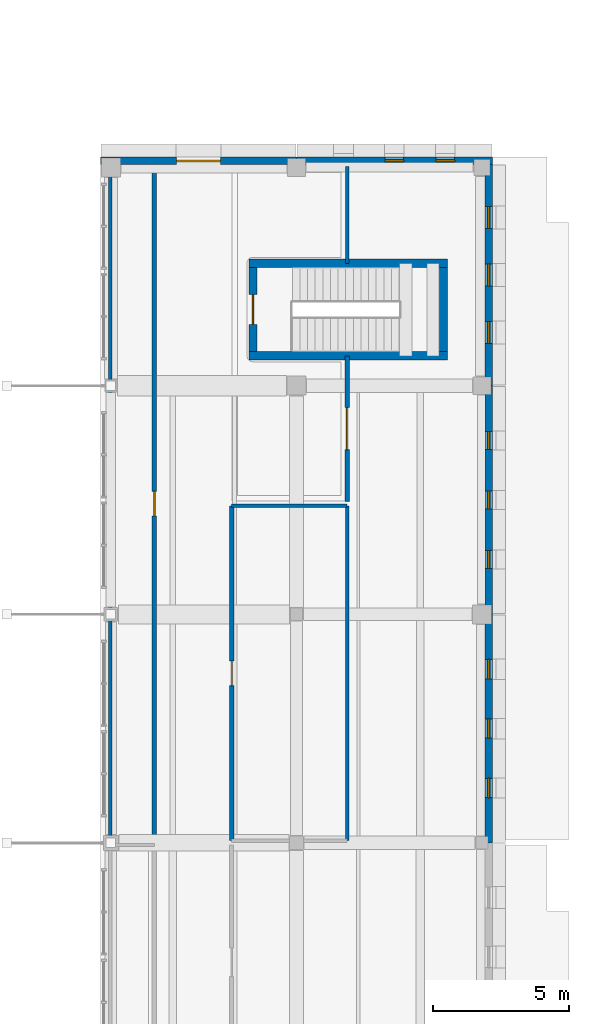
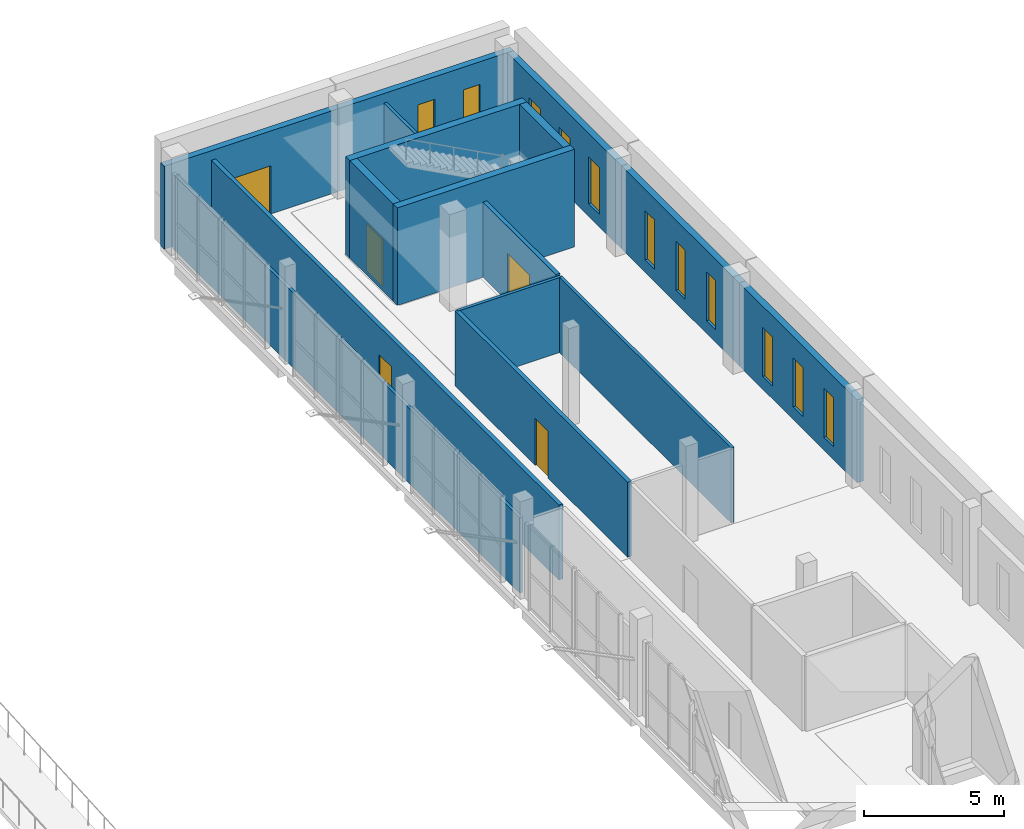
# One storey, part 62 of 77: 16 walls, 11 windows, 5 doors, 16 openings.
"""IFC4 building model written with IfcOpenShell, lengths in metres."""

from ifc_helpers import new_model, si_unit, direction, frame, frame_2d, origin, place, context, subcontext, project, spatial, rectangle, extrude, material, layer, layer_set, type_object, element, fill, save


model = new_model("IFC4")

# Units and contexts
model_context = context("Model", 3, precision=1e-05, world=origin(), true_north=direction((0.0, 1.0)))
body_context = subcontext(model_context, "Body", "Model", "MODEL_VIEW")
ifc_project = project(units=[si_unit("LENGTHUNIT", "METRE"), si_unit("AREAUNIT", "SQUARE_METRE"), si_unit("VOLUMEUNIT", "CUBIC_METRE"), si_unit("PLANEANGLEUNIT", "RADIAN"), si_unit("MASSUNIT", "GRAM", prefix="KILO")], contexts=[model_context])

# Site, building, storey
site_placement = place(None, origin())
site = spatial("IfcSite", under=ifc_project, at=site_placement, CompositionType="ELEMENT")
building_placement = place(site_placement, origin())
building = spatial("IfcBuilding", under=site, at=building_placement, Name="Vardoun Plaza Health Centre", CompositionType="ELEMENT")
storey_placement = place(building_placement, origin())
storey = spatial("IfcBuildingStorey", under=building, at=storey_placement, Name="L00", CompositionType="ELEMENT", Elevation=0.0)

# Wall
ifc_material_1 = material(Name="Concrete C40/50", Category="concrete")
ifc_layer_1 = layer(ifc_material_1, 0.300048828125)
ifc_layer_set_1 = layer_set([ifc_layer_1], Name="Concrete C40/50")
wall_type_1 = type_object("IfcWallType", Name="SW-01", PredefinedType="SHEAR", material=ifc_layer_set_1)
wall_1_placement = place(storey_placement, frame((163.64990234375, 79.39990234375, 0.0), z_axis=(0.0, 0.0, 1.0), x_axis=(-1.0, 0.0, 0.0)))
element("IfcWall", 1, at=wall_1_placement, inside=storey, type_object=wall_type_1, Name="Core C11 L00 Shear Wall S", PredefinedType="SHEAR", context=body_context, shape_type="SweptSolid", body=[
    extrude(rectangle(XDim=7.2998046875, YDim=0.300048828125, at=frame_2d((3.64990234375, 0.0))), origin(), (0.0, 0.0, 1.0), 4.25),
])

# Wall, opening, door
wall_2_placement = place(storey_placement, frame((156.5, 79.550048828125, 0.0), z_axis=(0.0, 0.0, 1.0), x_axis=(0.0, 1.0, 0.0)))
wall_2 = element("IfcWall", 2, at=wall_2_placement, inside=storey, type_object=wall_type_1, Name="Core C11 L00 Shear Wall W", PredefinedType="SHEAR", context=body_context, shape_type="SweptSolid", body=[
    extrude(rectangle(XDim=3.099853515625, YDim=0.300048828125, at=frame_2d((1.5498046875, 0.0))), origin(), (0.0, 0.0, 1.0), 4.25),
])
opening_1_placement = place(wall_2_placement, frame((1.0, 0.0, 0.0)))
opening_1 = element("IfcOpeningElement", 3, at=opening_1_placement, cuts=wall_2, Name="Opening SD-C11-L00", PredefinedType="OPENING", context=body_context, shape_type="SweptSolid", body=[
    extrude(rectangle(XDim=1.10009765625, YDim=2.050048828125, at=frame_2d((0.550048828125, 1.02490234375))), frame((0.0, 0.14990234375, 0.0), z_axis=(0.0, -1.0, 0.0), x_axis=(1.0, 0.0, 0.0)), (0.0, 0.0, 1.0), 0.300048828125),
])
ifc_material_2 = material(Name="Brushed Stainless Steel Grade 316L", Category="steel")
door_type_1 = type_object("IfcDoorType", Name="FD-01", OperationType="NOTDEFINED", PredefinedType="DOOR", material=ifc_material_2)
door_1_placement = place(opening_1_placement, origin())
door_1 = element("IfcDoor", 4, at=door_1_placement, inside=storey, type_object=door_type_1, Name="Stair C11 L00 Fire Door", OperationType="SINGLE_SWING_LEFT", OverallHeight=2.050048828125, OverallWidth=1.10009765625, PredefinedType="DOOR", context=body_context, shape_type="SweptSolid", body=[
    extrude(rectangle(XDim=1.10009765625, YDim=2.050048828125, at=frame_2d((0.550048828125, 1.02490234375))), frame((0.0, 0.02490234375, 0.0), z_axis=(0.0, -1.0, 0.0), x_axis=(1.0, 0.0, 0.0)), (0.0, 0.0, 1.0), 0.050048828125),
])
fill(opening_1, door_1)

# Walls
wall_3_placement = place(storey_placement, frame((156.35009765625, 82.800048828125, 0.0), z_axis=(0.0, 0.0, 1.0), x_axis=(1.0, 0.0, 0.0)))
element("IfcWall", 5, at=wall_3_placement, inside=storey, type_object=wall_type_1, Name="Core C11 L00 Shear Wall N", PredefinedType="SHEAR", context=body_context, shape_type="SweptSolid", body=[
    extrude(rectangle(XDim=7.2998046875, YDim=0.300048828125, at=frame_2d((3.64990234375, 0.0))), origin(), (0.0, 0.0, 1.0), 4.25),
])
wall_4_placement = place(storey_placement, frame((163.5, 82.64990234375, 0.0), z_axis=(0.0, 0.0, 1.0), x_axis=(0.0, -1.0, 0.0)))
element("IfcWall", 6, at=wall_4_placement, inside=storey, type_object=wall_type_1, Name="Core C11 L00 Shear Wall E", PredefinedType="SHEAR", context=body_context, shape_type="SweptSolid", body=[
    extrude(rectangle(XDim=3.099853515625, YDim=0.300048828125, at=frame_2d((1.5498046875, 0.0))), origin(), (0.0, 0.0, 1.0), 4.25),
])

# Wall, opening, door
ifc_material_3 = material(Name="Pale Limestone Concrete C35/45", Category="masonry")
ifc_layer_2 = layer(ifc_material_3, 0.264892578125)
ifc_layer_set_2 = layer_set([ifc_layer_2], Name="Pale Limestone Concrete C35/45")
wall_type_2 = type_object("IfcWallType", Name="EW-06", PredefinedType="STANDARD", material=ifc_layer_set_2)
wall_5_placement = place(storey_placement, frame((150.89990234375, 86.5673828125, 0.0), z_axis=(0.0, 0.0, 1.0), x_axis=(1.0, 0.0, 0.0)))
wall_5 = element("IfcWall", 7, at=wall_5_placement, inside=storey, type_object=wall_type_2, Name="V6 L00 Exterior Wall EW-V6-415", PredefinedType="STANDARD", context=body_context, shape_type="SweptSolid", body=[
    extrude(rectangle(XDim=7.2001953125, YDim=0.264892578125, at=frame_2d((3.60009765625, 0.0))), origin(), (0.0, 0.0, 1.0), 3.614990234375),
])
opening_2_placement = place(wall_5_placement, frame((2.800048828125, 0.0, 0.0)))
opening_2 = element("IfcOpeningElement", 8, at=opening_2_placement, cuts=wall_5, Name="Opening D-00-E08", PredefinedType="OPENING", context=body_context, shape_type="SweptSolid", body=[
    extrude(rectangle(XDim=1.60009765625, YDim=2.10009765625, at=frame_2d((0.800048828125, 1.050048828125))), frame((0.0, 0.13232421875, 0.0), z_axis=(0.0, -1.0, 0.0), x_axis=(1.0, 0.0, 0.0)), (0.0, 0.0, 1.0), 0.264892578125),
])
ifc_material_4 = material(Name="Aluminium Alloy EN AW-6063-T6 Glazed Exit Door", Category="aluminium")
door_type_2 = type_object("IfcDoorType", Name="ED-02", OperationType="DOUBLE_DOOR_SINGLE_SWING", PredefinedType="DOOR", material=ifc_material_4)
door_2_placement = place(opening_2_placement, origin())
door_2 = element("IfcDoor", 9, at=door_2_placement, inside=storey, type_object=door_type_2, Name="V6 Ground Final Exit Door D-00-E08", OperationType="DOUBLE_DOOR_SINGLE_SWING", OverallHeight=2.10009765625, OverallWidth=1.60009765625, PredefinedType="DOOR", context=body_context, shape_type="SweptSolid", body=[
    extrude(rectangle(XDim=1.60009765625, YDim=2.10009765625, at=frame_2d((0.800048828125, 1.050048828125))), frame((0.0, 0.02490234375, 0.0), z_axis=(0.0, -1.0, 0.0), x_axis=(1.0, 0.0, 0.0)), (0.0, 0.0, 1.0), 0.050048828125),
])
fill(opening_2, door_2)

# Wall, openings, windows
wall_6_placement = place(storey_placement, frame((158.10009765625, 86.5673828125, 0.0), z_axis=(0.0, 0.0, 1.0), x_axis=(1.0, 0.0, 0.0)))
wall_6 = element("IfcWall", 10, at=wall_6_placement, inside=storey, type_object=wall_type_2, Name="V6 L00 Exterior Wall EW-V6-416", PredefinedType="STANDARD", context=body_context, shape_type="SweptSolid", body=[
    extrude(rectangle(XDim=7.199951171875, YDim=0.264892578125, at=frame_2d((3.60009765625, 0.0))), origin(), (0.0, 0.0, 1.0), 3.614990234375),
])
opening_3_placement = place(wall_6_placement, frame((3.260009765625, 0.0, 0.550048828125)))
opening_3 = element("IfcOpeningElement", 11, at=opening_3_placement, cuts=wall_6, Name="Opening W-22-011", PredefinedType="OPENING", context=body_context, shape_type="SweptSolid", body=[
    extrude(rectangle(XDim=0.679931640625, YDim=2.080078125, at=frame_2d((0.33984375, 1.0400390625))), frame((0.0, 0.13232421875, 0.0), z_axis=(0.0, -1.0, 0.0), x_axis=(1.0, 0.0, 0.0)), (0.0, 0.0, 1.0), 0.264892578125),
])
opening_4_placement = place(wall_6_placement, frame((5.132080078125, 0.0, 0.550048828125)))
opening_4 = element("IfcOpeningElement", 12, at=opening_4_placement, cuts=wall_6, Name="Opening W-22-012", PredefinedType="OPENING", context=body_context, shape_type="SweptSolid", body=[
    extrude(rectangle(XDim=0.679931640625, YDim=2.080078125, at=frame_2d((0.33984375, 1.0400390625))), frame((0.0, 0.13232421875, 0.0), z_axis=(0.0, -1.0, 0.0), x_axis=(1.0, 0.0, 0.0)), (0.0, 0.0, 1.0), 0.264892578125),
])
ifc_material_5 = material(Name="Aluminium Alloy EN AW-6063-T6 and Low-E Glass", Category="aluminium")
window_type_1 = type_object("IfcWindowType", Name="W-22", PartitioningType="SINGLE_PANEL", PredefinedType="WINDOW", material=ifc_material_5)
window_1_placement = place(opening_3_placement, origin())
window_1 = element("IfcWindow", 13, at=window_1_placement, inside=storey, type_object=window_type_1, Name="V6 L00 Deep-Punched Slot Window W-22-629", OverallHeight=2.080078125, OverallWidth=0.679931640625, PartitioningType="SINGLE_PANEL", PredefinedType="WINDOW", context=body_context, shape_type="SweptSolid", body=[
    extrude(rectangle(XDim=0.679931640625, YDim=2.080078125, at=frame_2d((0.33984375, 1.0400390625))), frame((0.0, 0.030029296875, 0.0), z_axis=(0.0, -1.0, 0.0), x_axis=(1.0, 0.0, 0.0)), (0.0, 0.0, 1.0), 0.06005859375),
])
fill(opening_3, window_1)
window_2_placement = place(opening_4_placement, origin())
window_2 = element("IfcWindow", 14, at=window_2_placement, inside=storey, type_object=window_type_1, Name="V6 L00 Deep-Punched Slot Window W-22-630", OverallHeight=2.080078125, OverallWidth=0.679931640625, PartitioningType="SINGLE_PANEL", PredefinedType="WINDOW", context=body_context, shape_type="SweptSolid", body=[
    extrude(rectangle(XDim=0.679931640625, YDim=2.080078125, at=frame_2d((0.33984375, 1.0400390625))), frame((0.0, 0.030029296875, 0.0), z_axis=(0.0, -1.0, 0.0), x_axis=(1.0, 0.0, 0.0)), (0.0, 0.0, 1.0), 0.06005859375),
])
fill(opening_4, window_2)

wall_7_placement = place(storey_placement, frame((165.16748046875, 86.43505859375, 0.0), z_axis=(0.0, 0.0, 1.0), x_axis=(0.0, -1.0, 0.0)))
wall_7 = element("IfcWall", 15, at=wall_7_placement, inside=storey, type_object=wall_type_2, Name="V6 L00 Exterior Wall EW-V6-417", PredefinedType="STANDARD", context=body_context, shape_type="SweptSolid", body=[
    extrude(rectangle(XDim=8.135009765625, YDim=0.264892578125, at=frame_2d((4.0673828125, 0.0))), origin(), (0.0, 0.0, 1.0), 3.614990234375),
])
opening_5_placement = place(wall_7_placement, frame((1.552490234375, 0.0, 0.550048828125)))
opening_5 = element("IfcOpeningElement", 16, at=opening_5_placement, cuts=wall_7, Name="Opening W-24-011", PredefinedType="OPENING", context=body_context, shape_type="SweptSolid", body=[
    extrude(rectangle(XDim=0.800048828125, YDim=2.0400390625, at=frame_2d((0.39990234375, 1.02001953125))), frame((0.0, 0.13232421875, 0.0), z_axis=(0.0, -1.0, 0.0), x_axis=(1.0, 0.0, 0.0)), (0.0, 0.0, 1.0), 0.264892578125),
])
opening_6_placement = place(wall_7_placement, frame((3.66748046875, 0.0, 0.550048828125)))
opening_6 = element("IfcOpeningElement", 17, at=opening_6_placement, cuts=wall_7, Name="Opening W-24-012", PredefinedType="OPENING", context=body_context, shape_type="SweptSolid", body=[
    extrude(rectangle(XDim=0.800048828125, YDim=2.0400390625, at=frame_2d((0.39990234375, 1.02001953125))), frame((0.0, 0.13232421875, 0.0), z_axis=(0.0, -1.0, 0.0), x_axis=(1.0, 0.0, 0.0)), (0.0, 0.0, 1.0), 0.264892578125),
])
opening_7_placement = place(wall_7_placement, frame((5.78271484375, 0.0, 0.550048828125)))
opening_7 = element("IfcOpeningElement", 18, at=opening_7_placement, cuts=wall_7, Name="Opening W-24-013", PredefinedType="OPENING", context=body_context, shape_type="SweptSolid", body=[
    extrude(rectangle(XDim=0.800048828125, YDim=2.0400390625, at=frame_2d((0.39990234375, 1.02001953125))), frame((0.0, 0.13232421875, 0.0), z_axis=(0.0, -1.0, 0.0), x_axis=(1.0, 0.0, 0.0)), (0.0, 0.0, 1.0), 0.264892578125),
])
ifc_material_6 = material(Name="Aluminium Alloy EN AW-6063-T6 and Low-E Glass", Category="aluminium")
window_type_2 = type_object("IfcWindowType", Name="W-24", PartitioningType="SINGLE_PANEL", PredefinedType="WINDOW", material=ifc_material_6)
window_3_placement = place(opening_5_placement, origin())
window_3 = element("IfcWindow", 19, at=window_3_placement, inside=storey, type_object=window_type_2, Name="V6 L00 Deep-Punched Slot Window W-24-631", OverallHeight=2.0400390625, OverallWidth=0.800048828125, PartitioningType="SINGLE_PANEL", PredefinedType="WINDOW", context=body_context, shape_type="SweptSolid", body=[
    extrude(rectangle(XDim=0.800048828125, YDim=2.0400390625, at=frame_2d((0.39990234375, 1.02001953125))), frame((0.0, 0.030029296875, 0.0), z_axis=(0.0, -1.0, 0.0), x_axis=(1.0, 0.0, 0.0)), (0.0, 0.0, 1.0), 0.06005859375),
])
fill(opening_5, window_3)
window_4_placement = place(opening_6_placement, origin())
window_4 = element("IfcWindow", 20, at=window_4_placement, inside=storey, type_object=window_type_2, Name="V6 L00 Deep-Punched Slot Window W-24-632", OverallHeight=2.0400390625, OverallWidth=0.800048828125, PartitioningType="SINGLE_PANEL", PredefinedType="WINDOW", context=body_context, shape_type="SweptSolid", body=[
    extrude(rectangle(XDim=0.800048828125, YDim=2.0400390625, at=frame_2d((0.39990234375, 1.02001953125))), frame((0.0, 0.030029296875, 0.0), z_axis=(0.0, -1.0, 0.0), x_axis=(1.0, 0.0, 0.0)), (0.0, 0.0, 1.0), 0.06005859375),
])
fill(opening_6, window_4)
window_5_placement = place(opening_7_placement, origin())
window_5 = element("IfcWindow", 21, at=window_5_placement, inside=storey, type_object=window_type_2, Name="V6 L00 Deep-Punched Slot Window W-24-633", OverallHeight=2.0400390625, OverallWidth=0.800048828125, PartitioningType="SINGLE_PANEL", PredefinedType="WINDOW", context=body_context, shape_type="SweptSolid", body=[
    extrude(rectangle(XDim=0.800048828125, YDim=2.0400390625, at=frame_2d((0.39990234375, 1.02001953125))), frame((0.0, 0.030029296875, 0.0), z_axis=(0.0, -1.0, 0.0), x_axis=(1.0, 0.0, 0.0)), (0.0, 0.0, 1.0), 0.06005859375),
])
fill(opening_7, window_5)

wall_8_placement = place(storey_placement, frame((165.16748046875, 78.300048828125, 0.0), z_axis=(0.0, 0.0, 1.0), x_axis=(0.0, -1.0, 0.0)))
wall_8 = element("IfcWall", 22, at=wall_8_placement, inside=storey, type_object=wall_type_2, Name="V6 L00 Exterior Wall EW-V6-418", PredefinedType="STANDARD", context=body_context, shape_type="SweptSolid", body=[
    extrude(rectangle(XDim=8.400146484375, YDim=0.264892578125, at=frame_2d((4.2001953125, 0.0))), origin(), (0.0, 0.0, 1.0), 3.614990234375),
])
opening_8_placement = place(wall_8_placement, frame((1.69091796875, 0.0, 0.550048828125)))
opening_8 = element("IfcOpeningElement", 23, at=opening_8_placement, cuts=wall_8, Name="Opening W-31-019", PredefinedType="OPENING", context=body_context, shape_type="SweptSolid", body=[
    extrude(rectangle(XDim=0.64990234375, YDim=2.139892578125, at=frame_2d((0.324951171875, 1.06982421875))), frame((0.0, 0.13232421875, 0.0), z_axis=(0.0, -1.0, 0.0), x_axis=(1.0, 0.0, 0.0)), (0.0, 0.0, 1.0), 0.264892578125),
])
opening_9_placement = place(wall_8_placement, frame((3.875, 0.0, 0.550048828125)))
opening_9 = element("IfcOpeningElement", 24, at=opening_9_placement, cuts=wall_8, Name="Opening W-31-020", PredefinedType="OPENING", context=body_context, shape_type="SweptSolid", body=[
    extrude(rectangle(XDim=0.64990234375, YDim=2.139892578125, at=frame_2d((0.324951171875, 1.06982421875))), frame((0.0, 0.13232421875, 0.0), z_axis=(0.0, -1.0, 0.0), x_axis=(1.0, 0.0, 0.0)), (0.0, 0.0, 1.0), 0.264892578125),
])
opening_10_placement = place(wall_8_placement, frame((6.05908203125, 0.0, 0.550048828125)))
opening_10 = element("IfcOpeningElement", 25, at=opening_10_placement, cuts=wall_8, Name="Opening W-31-021", PredefinedType="OPENING", context=body_context, shape_type="SweptSolid", body=[
    extrude(rectangle(XDim=0.64990234375, YDim=2.139892578125, at=frame_2d((0.324951171875, 1.06982421875))), frame((0.0, 0.13232421875, 0.0), z_axis=(0.0, -1.0, 0.0), x_axis=(1.0, 0.0, 0.0)), (0.0, 0.0, 1.0), 0.264892578125),
])
ifc_material_7 = material(Name="Aluminium Alloy EN AW-6063-T6 and Low-E Glass", Category="aluminium")
window_type_3 = type_object("IfcWindowType", Name="W-31", PartitioningType="SINGLE_PANEL", PredefinedType="WINDOW", material=ifc_material_7)
window_6_placement = place(opening_8_placement, origin())
window_6 = element("IfcWindow", 26, at=window_6_placement, inside=storey, type_object=window_type_3, Name="V6 L00 Deep-Punched Slot Window W-31-634", OverallHeight=2.139892578125, OverallWidth=0.64990234375, PartitioningType="SINGLE_PANEL", PredefinedType="WINDOW", context=body_context, shape_type="SweptSolid", body=[
    extrude(rectangle(XDim=0.64990234375, YDim=2.139892578125, at=frame_2d((0.324951171875, 1.06982421875))), frame((0.0, 0.030029296875, 0.0), z_axis=(0.0, -1.0, 0.0), x_axis=(1.0, 0.0, 0.0)), (0.0, 0.0, 1.0), 0.06005859375),
])
fill(opening_8, window_6)
window_7_placement = place(opening_9_placement, origin())
window_7 = element("IfcWindow", 27, at=window_7_placement, inside=storey, type_object=window_type_3, Name="V6 L00 Deep-Punched Slot Window W-31-635", OverallHeight=2.139892578125, OverallWidth=0.64990234375, PartitioningType="SINGLE_PANEL", PredefinedType="WINDOW", context=body_context, shape_type="SweptSolid", body=[
    extrude(rectangle(XDim=0.64990234375, YDim=2.139892578125, at=frame_2d((0.324951171875, 1.06982421875))), frame((0.0, 0.030029296875, 0.0), z_axis=(0.0, -1.0, 0.0), x_axis=(1.0, 0.0, 0.0)), (0.0, 0.0, 1.0), 0.06005859375),
])
fill(opening_9, window_7)
window_8_placement = place(opening_10_placement, origin())
window_8 = element("IfcWindow", 28, at=window_8_placement, inside=storey, type_object=window_type_3, Name="V6 L00 Deep-Punched Slot Window W-31-636", OverallHeight=2.139892578125, OverallWidth=0.64990234375, PartitioningType="SINGLE_PANEL", PredefinedType="WINDOW", context=body_context, shape_type="SweptSolid", body=[
    extrude(rectangle(XDim=0.64990234375, YDim=2.139892578125, at=frame_2d((0.324951171875, 1.06982421875))), frame((0.0, 0.030029296875, 0.0), z_axis=(0.0, -1.0, 0.0), x_axis=(1.0, 0.0, 0.0)), (0.0, 0.0, 1.0), 0.06005859375),
])
fill(opening_10, window_8)

wall_9_placement = place(storey_placement, frame((165.16748046875, 69.89990234375, 0.0), z_axis=(0.0, 0.0, 1.0), x_axis=(0.0, -1.0, 0.0)))
wall_9 = element("IfcWall", 29, at=wall_9_placement, inside=storey, type_object=wall_type_2, Name="V6 L00 Exterior Wall EW-V6-419", PredefinedType="STANDARD", context=body_context, shape_type="SweptSolid", body=[
    extrude(rectangle(XDim=8.39990234375, YDim=0.264892578125, at=frame_2d((4.199951171875, 0.0))), origin(), (0.0, 0.0, 1.0), 3.614990234375),
])
opening_11_placement = place(wall_9_placement, frame((1.660888671875, 0.0, 0.550048828125)))
opening_11 = element("IfcOpeningElement", 30, at=opening_11_placement, cuts=wall_9, Name="Opening W-32-018", PredefinedType="OPENING", context=body_context, shape_type="SweptSolid", body=[
    extrude(rectangle(XDim=0.7099609375, YDim=2.139892578125, at=frame_2d((0.35498046875, 1.06982421875))), frame((0.0, 0.13232421875, 0.0), z_axis=(0.0, -1.0, 0.0), x_axis=(1.0, 0.0, 0.0)), (0.0, 0.0, 1.0), 0.264892578125),
])
opening_12_placement = place(wall_9_placement, frame((3.844970703125, 0.0, 0.550048828125)))
opening_12 = element("IfcOpeningElement", 31, at=opening_12_placement, cuts=wall_9, Name="Opening W-32-019", PredefinedType="OPENING", context=body_context, shape_type="SweptSolid", body=[
    extrude(rectangle(XDim=0.7099609375, YDim=2.139892578125, at=frame_2d((0.35498046875, 1.06982421875))), frame((0.0, 0.13232421875, 0.0), z_axis=(0.0, -1.0, 0.0), x_axis=(1.0, 0.0, 0.0)), (0.0, 0.0, 1.0), 0.264892578125),
])
opening_13_placement = place(wall_9_placement, frame((6.029052734375, 0.0, 0.550048828125)))
opening_13 = element("IfcOpeningElement", 32, at=opening_13_placement, cuts=wall_9, Name="Opening W-32-020", PredefinedType="OPENING", context=body_context, shape_type="SweptSolid", body=[
    extrude(rectangle(XDim=0.7099609375, YDim=2.139892578125, at=frame_2d((0.35498046875, 1.06982421875))), frame((0.0, 0.13232421875, 0.0), z_axis=(0.0, -1.0, 0.0), x_axis=(1.0, 0.0, 0.0)), (0.0, 0.0, 1.0), 0.264892578125),
])
ifc_material_8 = material(Name="Aluminium Alloy EN AW-6063-T6 and Low-E Glass", Category="aluminium")
window_type_4 = type_object("IfcWindowType", Name="W-32", PartitioningType="SINGLE_PANEL", PredefinedType="WINDOW", material=ifc_material_8)
window_9_placement = place(opening_11_placement, origin())
window_9 = element("IfcWindow", 33, at=window_9_placement, inside=storey, type_object=window_type_4, Name="V6 L00 Deep-Punched Slot Window W-32-637", OverallHeight=2.139892578125, OverallWidth=0.7099609375, PartitioningType="SINGLE_PANEL", PredefinedType="WINDOW", context=body_context, shape_type="SweptSolid", body=[
    extrude(rectangle(XDim=0.7099609375, YDim=2.139892578125, at=frame_2d((0.35498046875, 1.06982421875))), frame((0.0, 0.030029296875, 0.0), z_axis=(0.0, -1.0, 0.0), x_axis=(1.0, 0.0, 0.0)), (0.0, 0.0, 1.0), 0.06005859375),
])
fill(opening_11, window_9)
window_10_placement = place(opening_12_placement, origin())
window_10 = element("IfcWindow", 34, at=window_10_placement, inside=storey, type_object=window_type_4, Name="V6 L00 Deep-Punched Slot Window W-32-638", OverallHeight=2.139892578125, OverallWidth=0.7099609375, PartitioningType="SINGLE_PANEL", PredefinedType="WINDOW", context=body_context, shape_type="SweptSolid", body=[
    extrude(rectangle(XDim=0.7099609375, YDim=2.139892578125, at=frame_2d((0.35498046875, 1.06982421875))), frame((0.0, 0.030029296875, 0.0), z_axis=(0.0, -1.0, 0.0), x_axis=(1.0, 0.0, 0.0)), (0.0, 0.0, 1.0), 0.06005859375),
])
fill(opening_12, window_10)
window_11_placement = place(opening_13_placement, origin())
window_11 = element("IfcWindow", 35, at=window_11_placement, inside=storey, type_object=window_type_4, Name="V6 L00 Deep-Punched Slot Window W-32-639", OverallHeight=2.139892578125, OverallWidth=0.7099609375, PartitioningType="SINGLE_PANEL", PredefinedType="WINDOW", context=body_context, shape_type="SweptSolid", body=[
    extrude(rectangle(XDim=0.7099609375, YDim=2.139892578125, at=frame_2d((0.35498046875, 1.06982421875))), frame((0.0, 0.030029296875, 0.0), z_axis=(0.0, -1.0, 0.0), x_axis=(1.0, 0.0, 0.0)), (0.0, 0.0, 1.0), 0.06005859375),
])
fill(opening_13, window_11)

# Wall, opening, door
ifc_material_9 = material(Name="Impact-Resistant Clinical Gypsum", Category="steel")
ifc_layer_3 = layer(ifc_material_9, 0.1650390625)
ifc_layer_set_3 = layer_set([ifc_layer_3], Name="Impact-Resistant Clinical Gypsum")
wall_type_3 = type_object("IfcWallType", Name="IW-05", PredefinedType="PARTITIONING", material=ifc_layer_set_3)
wall_10_placement = place(storey_placement, frame((155.719970703125, 61.580078125, 0.0), z_axis=(0.0, 0.0, 1.0), x_axis=(0.0, 1.0, 0.0)))
wall_10 = element("IfcWall", 36, at=wall_10_placement, inside=storey, type_object=wall_type_3, Name="Outpatient Pharmacy Dispensary Partition Wall", PredefinedType="PARTITIONING", context=body_context, shape_type="SweptSolid", body=[
    extrude(rectangle(XDim=12.304931640625, YDim=0.1650390625, at=frame_2d((6.15234375, 0.0))), origin(), (0.0, 0.0, 1.0), 3.27001953125),
])
opening_14_placement = place(wall_10_placement, frame((5.702392578125, 0.0, 0.0)))
opening_14 = element("IfcOpeningElement", 37, at=opening_14_placement, cuts=wall_10, Name="Opening D-L00-161", PredefinedType="OPENING", context=body_context, shape_type="SweptSolid", body=[
    extrude(rectangle(XDim=0.89990234375, YDim=2.050048828125, at=frame_2d((0.449951171875, 1.02490234375))), frame((0.0, 0.08251953125, 0.0), z_axis=(0.0, -1.0, 0.0), x_axis=(1.0, 0.0, 0.0)), (0.0, 0.0, 1.0), 0.1650390625),
])
ifc_material_10 = material(Name="Antimicrobial Acoustic Timber and Steel S275JR", Category="steel")
door_type_3 = type_object("IfcDoorType", Name="CD-08", OperationType="NOTDEFINED", PredefinedType="DOOR", material=ifc_material_10)
door_3_placement = place(opening_14_placement, origin())
door_3 = element("IfcDoor", 38, at=door_3_placement, inside=storey, type_object=door_type_3, Name="Outpatient Pharmacy Dispensary Door D-L00-161", OperationType="SINGLE_SWING_RIGHT", OverallHeight=2.050048828125, OverallWidth=0.89990234375, PredefinedType="DOOR", context=body_context, shape_type="SweptSolid", body=[
    extrude(rectangle(XDim=0.89990234375, YDim=2.050048828125, at=frame_2d((0.449951171875, 1.02490234375))), frame((0.0, 0.02490234375, 0.0), z_axis=(0.0, -1.0, 0.0), x_axis=(1.0, 0.0, 0.0)), (0.0, 0.0, 1.0), 0.050048828125),
])
fill(opening_14, door_3)

wall_11_placement = place(storey_placement, frame((152.8798828125, 86.35009765625, 0.0), z_axis=(0.0, 0.0, 1.0), x_axis=(0.0, -1.0, 0.0)))
wall_11 = element("IfcWall", 39, at=wall_11_placement, inside=storey, type_object=wall_type_3, Name="Pharmacy Controlled Drug Store Partition Wall", PredefinedType="PARTITIONING", context=body_context, shape_type="SweptSolid", body=[
    extrude(rectangle(XDim=24.77001953125, YDim=0.1650390625, at=frame_2d((12.385009765625, 0.0))), origin(), (0.0, 0.0, 1.0), 3.27001953125),
])
opening_15_placement = place(wall_11_placement, frame((11.93505859375, 0.0, 0.0)))
opening_15 = element("IfcOpeningElement", 40, at=opening_15_placement, cuts=wall_11, Name="Opening D-L00-163", PredefinedType="OPENING", context=body_context, shape_type="SweptSolid", body=[
    extrude(rectangle(XDim=0.89990234375, YDim=2.050048828125, at=frame_2d((0.449951171875, 1.02490234375))), frame((0.0, 0.08251953125, 0.0), z_axis=(0.0, -1.0, 0.0), x_axis=(1.0, 0.0, 0.0)), (0.0, 0.0, 1.0), 0.1650390625),
])
door_4_placement = place(opening_15_placement, origin())
door_4 = element("IfcDoor", 41, at=door_4_placement, inside=storey, type_object=door_type_3, Name="Pharmacy Controlled Drug Store Door D-L00-163", OperationType="SINGLE_SWING_RIGHT", OverallHeight=2.050048828125, OverallWidth=0.89990234375, PredefinedType="DOOR", context=body_context, shape_type="SweptSolid", body=[
    extrude(rectangle(XDim=0.89990234375, YDim=2.050048828125, at=frame_2d((0.449951171875, 1.02490234375))), frame((0.0, 0.02490234375, 0.0), z_axis=(0.0, -1.0, 0.0), x_axis=(1.0, 0.0, 0.0)), (0.0, 0.0, 1.0), 0.050048828125),
])
fill(opening_15, door_4)

wall_12_placement = place(storey_placement, frame((159.9599609375, 79.39990234375, 0.0), z_axis=(0.0, 0.0, 1.0), x_axis=(0.0, -1.0, 0.0)))
wall_12 = element("IfcWall", 42, at=wall_12_placement, inside=storey, type_object=wall_type_3, Name="Community Health Cafe Partition Wall", PredefinedType="PARTITIONING", context=body_context, shape_type="SweptSolid", body=[
    extrude(rectangle(XDim=5.35498046875, YDim=0.1650390625, at=frame_2d((2.677490234375, 0.0))), origin(), (0.0, 0.0, 1.0), 3.27001953125),
])
opening_16_placement = place(wall_12_placement, frame((1.902587890625, 0.0, 0.0)))
opening_16 = element("IfcOpeningElement", 43, at=opening_16_placement, cuts=wall_12, Name="Opening D-L00-164", PredefinedType="OPENING", context=body_context, shape_type="SweptSolid", body=[
    extrude(rectangle(XDim=1.550048828125, YDim=2.10009765625, at=frame_2d((0.77490234375, 1.050048828125))), frame((0.0, 0.08251953125, 0.0), z_axis=(0.0, -1.0, 0.0), x_axis=(1.0, 0.0, 0.0)), (0.0, 0.0, 1.0), 0.1650390625),
])
ifc_material_11 = material(Name="Antimicrobial Acoustic Timber and Steel S275JR", Category="steel")
door_type_4 = type_object("IfcDoorType", Name="CD-11", OperationType="DOUBLE_DOOR_SINGLE_SWING", PredefinedType="DOOR", material=ifc_material_11)
door_5_placement = place(opening_16_placement, origin())
door_5 = element("IfcDoor", 44, at=door_5_placement, inside=storey, type_object=door_type_4, Name="Community Health Cafe Door D-L00-164", OperationType="DOUBLE_DOOR_SINGLE_SWING", OverallHeight=2.10009765625, OverallWidth=1.550048828125, PredefinedType="DOOR", context=body_context, shape_type="SweptSolid", body=[
    extrude(rectangle(XDim=1.550048828125, YDim=2.10009765625, at=frame_2d((0.77490234375, 1.050048828125))), frame((0.0, 0.02490234375, 0.0), z_axis=(0.0, -1.0, 0.0), x_axis=(1.0, 0.0, 0.0)), (0.0, 0.0, 1.0), 0.050048828125),
])
fill(opening_16, door_5)

# Walls
ifc_material_12 = material(Name="Standard Clinical Sub-Partition", Category="steel")
ifc_layer_4 = layer(ifc_material_12, 0.125)
ifc_layer_set_4 = layer_set([ifc_layer_4], Name="Standard Clinical Sub-Partition")
wall_type_4 = type_object("IfcWallType", Name="IW-11", PredefinedType="PARTITIONING", material=ifc_layer_set_4)
wall_13_placement = place(storey_placement, frame((155.719970703125, 73.885009765625, 0.0), z_axis=(0.0, 0.0, 1.0), x_axis=(1.0, 0.0, 0.0)))
element("IfcWall", 45, at=wall_13_placement, inside=storey, type_object=wall_type_4, Name="Outpatient Pharmacy Dispensary Enclosure Partition", PredefinedType="PARTITIONING", context=body_context, shape_type="SweptSolid", body=[
    extrude(rectangle(XDim=4.239990234375, YDim=0.125, at=frame_2d((2.1201171875, 0.0))), origin(), (0.0, 0.0, 1.0), 3.27001953125),
])
wall_14_placement = place(storey_placement, frame((159.9599609375, 73.885009765625, 0.0), z_axis=(0.0, 0.0, 1.0), x_axis=(0.0, -1.0, 0.0)))
element("IfcWall", 46, at=wall_14_placement, inside=storey, type_object=wall_type_4, Name="Outpatient Pharmacy Dispensary Enclosure Partition", PredefinedType="PARTITIONING", context=body_context, shape_type="SweptSolid", body=[
    extrude(rectangle(XDim=12.304931640625, YDim=0.125, at=frame_2d((6.15234375, 0.0))), origin(), (0.0, 0.0, 1.0), 3.27001953125),
])
wall_15_placement = place(storey_placement, frame((151.25, 61.580078125, 0.0), z_axis=(0.0, 0.0, 1.0), x_axis=(0.0, 1.0, 0.0)))
element("IfcWall", 47, at=wall_15_placement, inside=storey, type_object=wall_type_4, Name="Pharmacy Controlled Drug Store Enclosure Partition", PredefinedType="PARTITIONING", context=body_context, shape_type="SweptSolid", body=[
    extrude(rectangle(XDim=24.77001953125, YDim=0.125, at=frame_2d((12.385009765625, 0.0))), origin(), (0.0, 0.0, 1.0), 3.27001953125),
])
wall_16_placement = place(storey_placement, frame((159.9599609375, 86.35009765625, 0.0), z_axis=(0.0, 0.0, 1.0), x_axis=(0.0, -1.0, 0.0)))
element("IfcWall", 48, at=wall_16_placement, inside=storey, type_object=wall_type_4, Name="Community Health Cafe Enclosure Partition", PredefinedType="PARTITIONING", context=body_context, shape_type="SweptSolid", body=[
    extrude(rectangle(XDim=3.550048828125, YDim=0.125, at=frame_2d((1.77490234375, 0.0))), origin(), (0.0, 0.0, 1.0), 3.27001953125),
])

save(model, "model.ifc")
